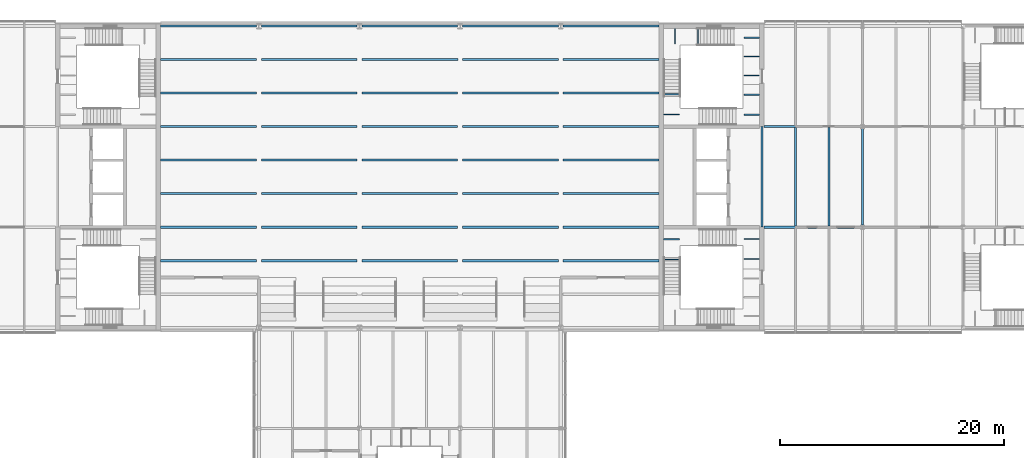
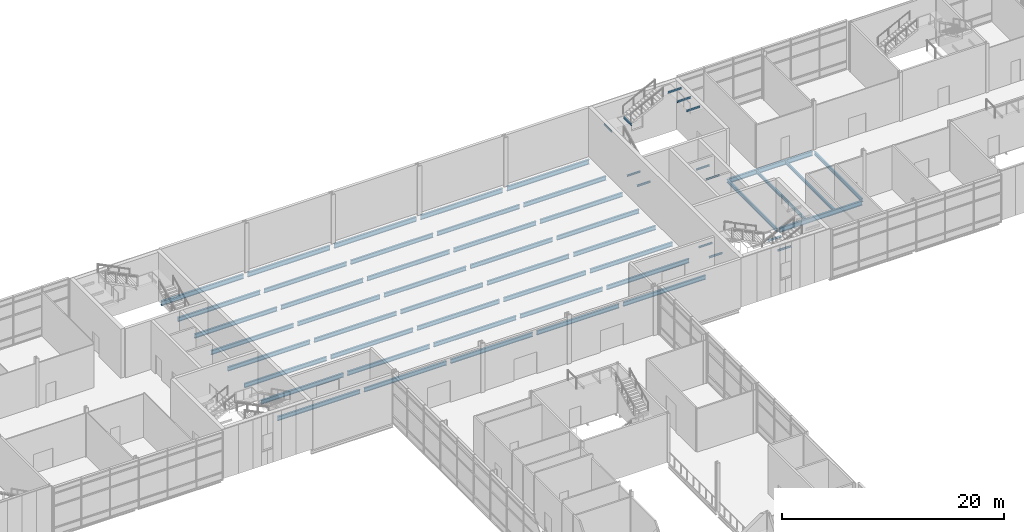
# One storey, part 20 of 52: 59 beams.
"""IFC4 building model written with IfcOpenShell, lengths in metres."""

import ifcopenshell
import ifcopenshell.guid

model = None  # the IFC model being written
_history = None  # IfcOwnerHistory: only IFC2X3 demands one
_inside = {}  # id of a spatial element -> (the spatial element, [elements in it])
_under = {}  # id of a project, library or spatial element -> (it, [spatial elements below it])
_declared = {}  # id of a project -> (the project, [libraries it declares])
_typed = {}  # id of a type object -> (the type object, [elements of that type])
_made_of = {}  # id of a material, layer set ... -> (it, [elements and type objects made of it])


def new_model(schema):
    """Start an empty IFC model of exactly this schema.

    Asked for "IFC4X3", IfcOpenShell would pick the latest addendum, in which some entities
    have other attributes; the version numbers below select the first issue.
    IFC2X3 requires an IfcOwnerHistory on every rooted entity: one is made here for all.
    """
    global model, _history
    if schema == "IFC4X3":
        model = ifcopenshell.file(schema_version=(4, 3, 0, 0))
    else:
        model = ifcopenshell.file(schema=schema)
    _inside.clear()
    _under.clear()
    _declared.clear()
    _typed.clear()
    _made_of.clear()
    _history = None
    if model.schema == "IFC2X3":
        org = make("IfcOrganization", Name="unknown")
        user = make(
            "IfcPersonAndOrganization",
            ThePerson=make("IfcPerson", FamilyName="unknown"),
            TheOrganization=org,
        )
        app = make(
            "IfcApplication",
            ApplicationDeveloper=org,
            Version="unknown",
            ApplicationFullName="unknown",
            ApplicationIdentifier="unknown",
        )
        _history = make(
            "IfcOwnerHistory",
            OwningUser=user,
            OwningApplication=app,
            ChangeAction="ADDED",
            CreationDate=0,
        )
    return model


def make(cls, **values):
    """One entity of the class cls with the attributes given. An attribute that is None is left unset."""
    return model.create_entity(
        cls, **{name: value for name, value in values.items() if value is not None}
    )


def rooted(cls, **values):
    """An entity with a GlobalId (a new one), such as an element, a storey or a relation."""
    return make(cls, GlobalId=ifcopenshell.guid.new(), OwnerHistory=_history, **values)


def si_unit(unit_type, name, prefix=None):
    """IfcSIUnit, for example si_unit("LENGTHUNIT", "METRE", prefix="MILLI")."""
    return make("IfcSIUnit", UnitType=unit_type, Prefix=prefix, Name=name)


def assignment(units):
    """IfcUnitAssignment: the units of a project."""
    return None if units is None else make("IfcUnitAssignment", Units=units)


def point(xyz):
    """IfcCartesianPoint."""
    return None if xyz is None else make("IfcCartesianPoint", Coordinates=xyz)


def direction(xyz):
    """IfcDirection."""
    return None if xyz is None else make("IfcDirection", DirectionRatios=xyz)


def frame(location, z_axis=None, x_axis=None):
    """IfcAxis2Placement3D, a coordinate frame: its origin and axes. An axis left out is left unset."""
    return make(
        "IfcAxis2Placement3D",
        Location=point(location),
        Axis=direction(z_axis),
        RefDirection=direction(x_axis),
    )


def frame_2d(location, x_axis=None):
    """IfcAxis2Placement2D, a coordinate frame in the plane: its origin and x axis."""
    return make(
        "IfcAxis2Placement2D", Location=point(location), RefDirection=direction(x_axis)
    )


def origin():
    """The frame at (0, 0, 0) with its axes left unset."""
    return frame((0.0, 0.0, 0.0))


def origin_2d():
    """The frame at (0, 0) in the plane with its x axis left unset."""
    return frame_2d((0.0, 0.0))


def place(relative_to, where):
    """IfcLocalPlacement: puts the frame where relative to a parent placement (None: the world)."""
    return make(
        "IfcLocalPlacement", PlacementRelTo=relative_to, RelativePlacement=where
    )


def context(
    kind, dimensions, precision=None, world=None, true_north=None, identifier=None
):
    """IfcGeometricRepresentationContext, for example the 3D "Model" context."""
    return make(
        "IfcGeometricRepresentationContext",
        ContextIdentifier=identifier,
        ContextType=kind,
        CoordinateSpaceDimension=dimensions,
        Precision=precision,
        WorldCoordinateSystem=world,
        TrueNorth=true_north,
    )


def subcontext(parent, identifier, kind, view, scale=None):
    """IfcGeometricRepresentationSubContext, for example "Body" below "Model"."""
    return make(
        "IfcGeometricRepresentationSubContext",
        ContextIdentifier=identifier,
        ContextType=kind,
        ParentContext=parent,
        TargetScale=scale,
        TargetView=view,
    )


def project(units=None, contexts=None):
    """IfcProject with its units and contexts."""
    return rooted(
        "IfcProject",
        Name="project",
        RepresentationContexts=contexts,
        UnitsInContext=assignment(units),
    )


def spatial(cls, under=None, at=None, **own):
    """A site, building, storey or space (cls), placed at a placement, below another one or the project."""
    s = rooted(cls, ObjectPlacement=at, **own)
    if under is not None:
        _under.setdefault(under.id(), (under, []))[1].append(s)
    return s


def profile(cls, at=None, kind="AREA", **sizes):
    """A parametric profile (cls). Its sizes go by their IFC names, for example OverallWidth=200.0."""
    return make(cls, ProfileType=kind, Position=at, **sizes)


def i_section(**sizes):
    """IfcIShapeProfileDef."""
    return profile("IfcIShapeProfileDef", **sizes)


def extrude(swept, where, along, depth):
    """IfcExtrudedAreaSolid: the profile swept, set in the frame where, extruded along a direction by depth."""
    return make(
        "IfcExtrudedAreaSolid",
        SweptArea=swept,
        Position=where,
        ExtrudedDirection=direction(along),
        Depth=depth,
    )


def shape(context_of_items, identifier, shape_type, items):
    """IfcShapeRepresentation: the items that make up one representation, for example the "Body"."""
    return make(
        "IfcShapeRepresentation",
        ContextOfItems=context_of_items,
        RepresentationIdentifier=identifier,
        RepresentationType=shape_type,
        Items=items,
    )


def material(Name=None, Category=None):
    """IfcMaterial."""
    return make("IfcMaterial", Name=Name, Category=Category)


def material_profile(
    of_material, cross_section, Name=None, Category=None, Priority=None
):
    """IfcMaterialProfile: a cross section and its material."""
    return make(
        "IfcMaterialProfile",
        Name=Name,
        Material=of_material,
        Profile=cross_section,
        Priority=Priority,
        Category=Category,
    )


def profile_set(profiles, Name=None, composite=None):
    """IfcMaterialProfileSet."""
    return make(
        "IfcMaterialProfileSet",
        Name=Name,
        MaterialProfiles=profiles,
        CompositeProfile=composite,
    )


def made_of(thing, what):
    """Note that an element or type object is made of a material, layer set ...; save() writes the relation."""
    if what is not None:
        _made_of.setdefault(what.id(), (what, []))[1].append(thing)
    return thing


def type_object(cls, material=None, **own):
    """A type object (cls), such as IfcWallType, which elements share."""
    return made_of(rooted(cls, **own), material)


def element(
    cls,
    number,
    at=None,
    inside=None,
    cuts=None,
    type_object=None,
    material=None,
    context=None,
    identifier="Body",
    shape_type=None,
    held_by="IfcProductDefinitionShape",
    body=None,
    shapes=None,
    **own,
):
    """One element of the class cls, such as IfcWall. Its Tag is "e" and its number.

    at: its placement. inside: the storey or other place that contains it. cuts: it is an
    opening in that element (IfcRelVoidsElement). A single representation is given by context,
    identifier, shape_type and body (its items); several are given by shapes. held_by: the class
    of the entity that holds the representations. save() writes the other relations.
    """
    e = rooted(cls, Tag="e%d" % number, ObjectPlacement=at, **own)
    if body is not None:
        shapes = [shape(context, identifier, shape_type, body)]
    if shapes is not None:
        e.Representation = make(held_by, Representations=shapes)
    if inside is not None:
        _inside.setdefault(inside.id(), (inside, []))[1].append(e)
    if cuts is not None:
        rooted(
            "IfcRelVoidsElement", RelatingBuildingElement=cuts, RelatedOpeningElement=e
        )
    if type_object is not None:
        _typed.setdefault(type_object.id(), (type_object, []))[1].append(e)
    return made_of(e, material)


def aggregate(whole, parts):
    """IfcRelAggregates: a whole, such as a stair, and the parts it consists of."""
    return rooted("IfcRelAggregates", RelatingObject=whole, RelatedObjects=parts)


def save(model, path):
    """Write the relations noted so far, then the file.

    IfcRelAggregates (storeys below a building ...), IfcRelContainedInSpatialStructure (elements
    in a storey), IfcRelDefinesByType, IfcRelAssociatesMaterial and IfcRelDeclares: one each for
    every whole, place, type object, material and project.
    """
    for whole, parts in _under.values():
        aggregate(whole, parts)
    for where, things in _inside.values():
        rooted(
            "IfcRelContainedInSpatialStructure",
            RelatedElements=things,
            RelatingStructure=where,
        )
    for kind, things in _typed.values():
        rooted("IfcRelDefinesByType", RelatedObjects=things, RelatingType=kind)
    for what, things in _made_of.values():
        rooted("IfcRelAssociatesMaterial", RelatedObjects=things, RelatingMaterial=what)
    for by, libraries in _declared.values():
        rooted("IfcRelDeclares", RelatingContext=by, RelatedDefinitions=libraries)
    model.write(path)


model = new_model("IFC4")

# Units and contexts
model_context = context("Model", 3, precision=1e-05, world=origin(), true_north=direction((0.0, 1.0)))
body_context = subcontext(model_context, "Body", "Model", "MODEL_VIEW")
ifc_project = project(units=[si_unit("LENGTHUNIT", "METRE"), si_unit("AREAUNIT", "SQUARE_METRE"), si_unit("VOLUMEUNIT", "CUBIC_METRE"), si_unit("PLANEANGLEUNIT", "RADIAN"), si_unit("MASSUNIT", "GRAM", prefix="KILO")], contexts=[model_context])

# Site, building, storey
site_placement = place(None, origin())
site = spatial("IfcSite", under=ifc_project, at=site_placement, CompositionType="ELEMENT")
building_placement = place(site_placement, origin())
building = spatial("IfcBuilding", under=site, at=building_placement, Name="Azimuth Sports and Learning Centre", CompositionType="ELEMENT")
storey_placement = place(building_placement, frame((0.0, 0.0, 16.199951171875)))
storey = spatial("IfcBuildingStorey", under=building, at=storey_placement, Name="L03", CompositionType="ELEMENT", Elevation=16.199951171875)

# Beams
ifc_material_1 = material(Name="Steel S355", Category="steel")
ifc_material_profile_1 = material_profile(ifc_material_1, i_section(OverallWidth=0.10009765625, OverallDepth=0.199951171875, WebThickness=0.005615234375, FlangeThickness=0.008544921875, FilletRadius=0.011962890625, at=origin_2d()), Name="IPE 200")
ifc_profile_set_1 = profile_set([ifc_material_profile_1], Name="Steel S355")
beam_type_1 = type_object("IfcBeamType", Name="Beam IPE 200", PredefinedType="BEAM", material=ifc_profile_set_1)
for number, where, z_axis, x_axis, name in (
    (1, (116.800048828125, 96.1474609375, -0.300048828125), (-1.0, 0.0, 0.0), (0.0, -1.0, 0.0), "Landing bracket E1 L03 382"),
    (2, (116.800048828125, 97.9423828125, -0.300048828125), (-1.0, 0.0, 0.0), (0.0, -1.0, 0.0), "Landing bracket E1 L03 383"),
    (3, (108.199951171875, 96.1025390625, 1.5), (1.0, 0.0, 0.0), (0.0, 1.0, 0.0), "Landing bracket E1 L03 384"),
    (4, (108.199951171875, 97.927490234375, 1.5), (1.0, 0.0, 0.0), (0.0, 1.0, 0.0), "Landing bracket E1 L03 385"),
    (5, (116.800048828125, 109.0576171875, -0.300048828125), (-1.0, 0.0, 0.0), (0.0, -1.0, 0.0), "Landing bracket E2 L03 560"),
    (6, (116.800048828125, 110.8525390625, -0.300048828125), (-1.0, 0.0, 0.0), (0.0, -1.0, 0.0), "Landing bracket E2 L03 561"),
    (7, (108.199951171875, 109.072509765625, 1.5), (1.0, 0.0, 0.0), (0.0, 1.0, 0.0), "Landing bracket E2 L03 562"),
    (8, (108.199951171875, 110.8974609375, 1.5), (1.0, 0.0, 0.0), (0.0, 1.0, 0.0), "Landing bracket E2 L03 563"),
    (9, (109.235107421875, 116.800048828125, 3.300048828125), (0.0, -1.0, 0.0), (1.0, 0.0, 0.0), "Landing bracket E2 L03 564"),
    (10, (111.284912109375, 116.800048828125, 3.300048828125), (0.0, -1.0, 0.0), (1.0, 0.0, 0.0), "Landing bracket E2 L03 565"),
    (11, (116.800048828125, 112.590087890625, 5.10009765625), (-1.0, 0.0, 0.0), (0.0, -1.0, 0.0), "Landing bracket E2 L03 566"),
    (12, (116.800048828125, 114.27001953125, 5.10009765625), (-1.0, 0.0, 0.0), (0.0, -1.0, 0.0), "Landing bracket E2 L03 567"),
    (13, (116.800048828125, 115.949951171875, 5.10009765625), (-1.0, 0.0, 0.0), (0.0, -1.0, 0.0), "Landing bracket E2 L03 568"),
):
    element("IfcBeam", number, at=place(storey_placement, frame(where, z_axis=z_axis, x_axis=x_axis)), inside=storey, type_object=beam_type_1, Name=name, PredefinedType="BEAM", context=body_context, shape_type="SweptSolid", body=[
        extrude(i_section(OverallWidth=0.10009765625, OverallDepth=0.199951171875, WebThickness=0.005615234375, FlangeThickness=0.008544921875, FilletRadius=0.011962890625, at=origin_2d()), origin(), (0.0, 0.0, 1.0), 1.41015625),
    ])
ifc_material_2 = material(Name="Steel S355", Category="steel")
ifc_material_profile_2 = material_profile(ifc_material_2, i_section(OverallWidth=0.169921875, OverallDepth=0.360107421875, WebThickness=0.008056640625, FlangeThickness=0.0126953125, FilletRadius=0.01806640625, at=origin_2d()), Name="IPE 360")
ifc_profile_set_2 = profile_set([ifc_material_profile_2], Name="Steel S355")
beam_type_2 = type_object("IfcBeamType", Name="Beam IPE 360", PredefinedType="BEAM", material=ifc_profile_set_2)
beam_1_placement = place(storey_placement, frame((117.0, 99.0, -0.329833984375), z_axis=(0.0, 1.0, 0.0), x_axis=(-1.0, 0.0, 0.0)))
element("IfcBeam", 14, at=beam_1_placement, inside=storey, type_object=beam_type_2, Name="Beam L03 WE 17", PredefinedType="BEAM", context=body_context, shape_type="SweptSolid", body=[
    extrude(i_section(OverallWidth=0.169921875, OverallDepth=0.360107421875, WebThickness=0.008056640625, FlangeThickness=0.0126953125, FilletRadius=0.01806640625, at=origin_2d()), origin(), (0.0, 0.0, 1.0), 9.0),
])
beam_2_placement = place(storey_placement, frame((126.0, 99.179931640625, -0.329833984375), z_axis=(0.0, 1.0, 0.0), x_axis=(-1.0, 0.0, 0.0)))
element("IfcBeam", 15, at=beam_2_placement, inside=storey, type_object=beam_type_2, Name="Beam L03 WE 19", PredefinedType="BEAM", context=body_context, shape_type="SweptSolid", body=[
    extrude(i_section(OverallWidth=0.169921875, OverallDepth=0.360107421875, WebThickness=0.008056640625, FlangeThickness=0.0126953125, FilletRadius=0.01806640625, at=origin_2d()), origin(), (0.0, 0.0, 1.0), 8.64013671875),
])
ifc_material_3 = material(Name="Steel S355", Category="steel")
ifc_material_profile_3 = material_profile(ifc_material_3, i_section(OverallWidth=0.199951171875, OverallDepth=0.5, WebThickness=0.01025390625, FlangeThickness=0.01611328125, FilletRadius=0.02099609375, at=origin_2d()), Name="IPE 500")
ifc_profile_set_3 = profile_set([ifc_material_profile_3], Name="Steel S355")
beam_type_3 = type_object("IfcBeamType", Name="Beam IPE 500", PredefinedType="BEAM", material=ifc_profile_set_3)
for number, where, z_axis, x_axis, name in (
    (16, (117.199951171875, 99.0, -0.39990234375), (1.0, 0.0, 0.0), (0.0, 1.0, 0.0), "Beam L03 WE 5"),
    (17, (117.199951171875, 108.0, -0.39990234375), (1.0, 0.0, 0.0), (0.0, 1.0, 0.0), "Beam L03 WE 9"),
):
    element("IfcBeam", number, at=place(storey_placement, frame(where, z_axis=z_axis, x_axis=x_axis)), inside=storey, type_object=beam_type_3, Name=name, PredefinedType="BEAM", context=body_context, shape_type="SweptSolid", body=[
        extrude(i_section(OverallWidth=0.199951171875, OverallDepth=0.5, WebThickness=0.01025390625, FlangeThickness=0.01611328125, FilletRadius=0.02099609375, at=origin_2d()), origin(), (0.0, 0.0, 1.0), 8.650146484375),
    ])
beam_3_placement = place(storey_placement, frame((63.199951171875, 117.0, -0.469970703125), z_axis=(1.0, 0.0, 0.0), x_axis=(0.0, 1.0, 0.0)))
element("IfcBeam", 18, at=beam_3_placement, inside=storey, type_object=beam_type_3, Name="Hall B floor edge girder 10", PredefinedType="BEAM", context=body_context, shape_type="SweptSolid", body=[
    extrude(i_section(OverallWidth=0.199951171875, OverallDepth=0.5, WebThickness=0.01025390625, FlangeThickness=0.01611328125, FilletRadius=0.02099609375, at=origin_2d()), origin(), (0.0, 0.0, 1.0), 8.58154296875),
])
for number, where, z_axis, x_axis, name in (
    (19, (72.218505859375, 117.0, -0.469970703125), (1.0, 0.0, 0.0), (0.0, 1.0, 0.0), "Hall B floor edge girder 19"),
    (20, (81.218505859375, 117.0, -0.469970703125), (1.0, 0.0, 0.0), (0.0, 1.0, 0.0), "Hall B floor edge girder 28"),
    (21, (90.218505859375, 117.0, -0.469970703125), (1.0, 0.0, 0.0), (0.0, 1.0, 0.0), "Hall B floor edge girder 37"),
):
    element("IfcBeam", number, at=place(storey_placement, frame(where, z_axis=z_axis, x_axis=x_axis)), inside=storey, type_object=beam_type_3, Name=name, PredefinedType="BEAM", context=body_context, shape_type="SweptSolid", body=[
        extrude(i_section(OverallWidth=0.199951171875, OverallDepth=0.5, WebThickness=0.01025390625, FlangeThickness=0.01611328125, FilletRadius=0.02099609375, at=origin_2d()), origin(), (0.0, 0.0, 1.0), 8.56298828125),
    ])
beam_4_placement = place(storey_placement, frame((99.218505859375, 117.0, -0.469970703125), z_axis=(1.0, 0.0, 0.0), x_axis=(0.0, 1.0, 0.0)))
element("IfcBeam", 22, at=beam_4_placement, inside=storey, type_object=beam_type_3, Name="Hall B floor edge girder 47", PredefinedType="BEAM", context=body_context, shape_type="SweptSolid", body=[
    extrude(i_section(OverallWidth=0.199951171875, OverallDepth=0.5, WebThickness=0.01025390625, FlangeThickness=0.01611328125, FilletRadius=0.02099609375, at=origin_2d()), origin(), (0.0, 0.0, 1.0), 8.58154296875),
])
ifc_material_4 = material(Name="Steel S355", Category="steel")
ifc_material_profile_4 = material_profile(ifc_material_4, i_section(OverallWidth=0.159912109375, OverallDepth=0.330078125, WebThickness=0.007568359375, FlangeThickness=0.011474609375, FilletRadius=0.01806640625, at=origin_2d()), Name="IPE 330")
ifc_profile_set_4 = profile_set([ifc_material_profile_4], Name="Steel S355")
beam_type_4 = type_object("IfcBeamType", Name="Joist IPE 330", PredefinedType="JOIST", material=ifc_profile_set_4)
for number, where, z_axis, x_axis, name in (
    (23, (120.0, 99.10009765625, -0.31494140625), (0.0, 1.0, 0.0), (-1.0, 0.0, 0.0), "Joist L03 WE 28"),
    (24, (123.0, 99.10009765625, -0.31494140625), (0.0, 1.0, 0.0), (-1.0, 0.0, 0.0), "Joist L03 WE 31"),
):
    element("IfcBeam", number, at=place(storey_placement, frame(where, z_axis=z_axis, x_axis=x_axis)), inside=storey, type_object=beam_type_4, Name=name, PredefinedType="JOIST", context=body_context, shape_type="SweptSolid", body=[
        extrude(i_section(OverallWidth=0.159912109375, OverallDepth=0.330078125, WebThickness=0.007568359375, FlangeThickness=0.011474609375, FilletRadius=0.01806640625, at=origin_2d()), origin(), (0.0, 0.0, 1.0), 8.7998046875),
    ])
ifc_material_5 = material(Name="Steel S355", Category="steel")
ifc_material_profile_5 = material_profile(ifc_material_5, i_section(OverallWidth=0.18994140625, OverallDepth=0.449951171875, WebThickness=0.009521484375, FlangeThickness=0.0146484375, FilletRadius=0.02099609375, at=origin_2d()), Name="IPE 450")
ifc_profile_set_5 = profile_set([ifc_material_profile_5], Name="Steel S355")
beam_type_5 = type_object("IfcBeamType", Name="Joist IPE 450", PredefinedType="JOIST", material=ifc_profile_set_5)
beam_5_placement = place(storey_placement, frame((63.199951171875, 96.0, -0.445068359375), z_axis=(1.0, 0.0, 0.0), x_axis=(0.0, 1.0, 0.0)))
element("IfcBeam", 25, at=beam_5_placement, inside=storey, type_object=beam_type_5, Name="Hall B floor joist 2", PredefinedType="JOIST", context=body_context, shape_type="SweptSolid", body=[
    extrude(i_section(OverallWidth=0.18994140625, OverallDepth=0.449951171875, WebThickness=0.009521484375, FlangeThickness=0.0146484375, FilletRadius=0.02099609375, at=origin_2d()), origin(), (0.0, 0.0, 1.0), 8.588134765625),
])
for number, where, z_axis, x_axis, name in (
    (26, (63.199951171875, 99.0, -0.445068359375), (1.0, 0.0, 0.0), (0.0, 1.0, 0.0), "Hall B floor joist 3"),
    (27, (63.199951171875, 102.0, -0.445068359375), (1.0, 0.0, 0.0), (0.0, 1.0, 0.0), "Hall B floor joist 4"),
    (28, (63.199951171875, 105.0, -0.445068359375), (1.0, 0.0, 0.0), (0.0, 1.0, 0.0), "Hall B floor joist 5"),
    (29, (63.199951171875, 108.0, -0.445068359375), (1.0, 0.0, 0.0), (0.0, 1.0, 0.0), "Hall B floor joist 6"),
):
    element("IfcBeam", number, at=place(storey_placement, frame(where, z_axis=z_axis, x_axis=x_axis)), inside=storey, type_object=beam_type_5, Name=name, PredefinedType="JOIST", context=body_context, shape_type="SweptSolid", body=[
        extrude(i_section(OverallWidth=0.18994140625, OverallDepth=0.449951171875, WebThickness=0.009521484375, FlangeThickness=0.0146484375, FilletRadius=0.02099609375, at=origin_2d()), origin(), (0.0, 0.0, 1.0), 8.5859375),
    ])
beam_6_placement = place(storey_placement, frame((63.199951171875, 111.0, -0.445068359375), z_axis=(1.0, 0.0, 0.0), x_axis=(0.0, 1.0, 0.0)))
element("IfcBeam", 30, at=beam_6_placement, inside=storey, type_object=beam_type_5, Name="Hall B floor joist 7", PredefinedType="JOIST", context=body_context, shape_type="SweptSolid", body=[
    extrude(i_section(OverallWidth=0.18994140625, OverallDepth=0.449951171875, WebThickness=0.009521484375, FlangeThickness=0.0146484375, FilletRadius=0.02099609375, at=origin_2d()), origin(), (0.0, 0.0, 1.0), 8.588134765625),
])
beam_7_placement = place(storey_placement, frame((63.199951171875, 114.0, -0.445068359375), z_axis=(1.0, 0.0, 0.0), x_axis=(0.0, 1.0, 0.0)))
element("IfcBeam", 31, at=beam_7_placement, inside=storey, type_object=beam_type_5, Name="Hall B floor joist 8", PredefinedType="JOIST", context=body_context, shape_type="SweptSolid", body=[
    extrude(i_section(OverallWidth=0.18994140625, OverallDepth=0.449951171875, WebThickness=0.009521484375, FlangeThickness=0.0146484375, FilletRadius=0.02099609375, at=origin_2d()), origin(), (0.0, 0.0, 1.0), 8.591064453125),
])
beam_8_placement = place(storey_placement, frame((72.2119140625, 96.0, -0.445068359375), z_axis=(1.0, 0.0, 0.0), x_axis=(0.0, 1.0, 0.0)))
element("IfcBeam", 32, at=beam_8_placement, inside=storey, type_object=beam_type_5, Name="Hall B floor joist 12", PredefinedType="JOIST", context=body_context, shape_type="SweptSolid", body=[
    extrude(i_section(OverallWidth=0.18994140625, OverallDepth=0.449951171875, WebThickness=0.009521484375, FlangeThickness=0.0146484375, FilletRadius=0.02099609375, at=origin_2d()), origin(), (0.0, 0.0, 1.0), 8.576171875),
])
for number, where, z_axis, x_axis, name in (
    (33, (72.214111328125, 99.0, -0.445068359375), (1.0, 0.0, 0.0), (0.0, 1.0, 0.0), "Hall B floor joist 13"),
    (34, (72.214111328125, 102.0, -0.445068359375), (1.0, 0.0, 0.0), (0.0, 1.0, 0.0), "Hall B floor joist 14"),
    (35, (72.214111328125, 105.0, -0.445068359375), (1.0, 0.0, 0.0), (0.0, 1.0, 0.0), "Hall B floor joist 15"),
    (36, (72.214111328125, 108.0, -0.445068359375), (1.0, 0.0, 0.0), (0.0, 1.0, 0.0), "Hall B floor joist 16"),
):
    element("IfcBeam", number, at=place(storey_placement, frame(where, z_axis=z_axis, x_axis=x_axis)), inside=storey, type_object=beam_type_5, Name=name, PredefinedType="JOIST", context=body_context, shape_type="SweptSolid", body=[
        extrude(i_section(OverallWidth=0.18994140625, OverallDepth=0.449951171875, WebThickness=0.009521484375, FlangeThickness=0.0146484375, FilletRadius=0.02099609375, at=origin_2d()), origin(), (0.0, 0.0, 1.0), 8.57177734375),
    ])
beam_9_placement = place(storey_placement, frame((72.2119140625, 111.0, -0.445068359375), z_axis=(1.0, 0.0, 0.0), x_axis=(0.0, 1.0, 0.0)))
element("IfcBeam", 37, at=beam_9_placement, inside=storey, type_object=beam_type_5, Name="Hall B floor joist 17", PredefinedType="JOIST", context=body_context, shape_type="SweptSolid", body=[
    extrude(i_section(OverallWidth=0.18994140625, OverallDepth=0.449951171875, WebThickness=0.009521484375, FlangeThickness=0.0146484375, FilletRadius=0.02099609375, at=origin_2d()), origin(), (0.0, 0.0, 1.0), 8.576171875),
])
beam_10_placement = place(storey_placement, frame((72.208984375, 114.0, -0.445068359375), z_axis=(1.0, 0.0, 0.0), x_axis=(0.0, 1.0, 0.0)))
element("IfcBeam", 38, at=beam_10_placement, inside=storey, type_object=beam_type_5, Name="Hall B floor joist 18", PredefinedType="JOIST", context=body_context, shape_type="SweptSolid", body=[
    extrude(i_section(OverallWidth=0.18994140625, OverallDepth=0.449951171875, WebThickness=0.009521484375, FlangeThickness=0.0146484375, FilletRadius=0.02099609375, at=origin_2d()), origin(), (0.0, 0.0, 1.0), 8.58203125),
])
beam_11_placement = place(storey_placement, frame((81.2119140625, 96.0, -0.445068359375), z_axis=(1.0, 0.0, 0.0), x_axis=(0.0, 1.0, 0.0)))
element("IfcBeam", 39, at=beam_11_placement, inside=storey, type_object=beam_type_5, Name="Hall B floor joist 21", PredefinedType="JOIST", context=body_context, shape_type="SweptSolid", body=[
    extrude(i_section(OverallWidth=0.18994140625, OverallDepth=0.449951171875, WebThickness=0.009521484375, FlangeThickness=0.0146484375, FilletRadius=0.02099609375, at=origin_2d()), origin(), (0.0, 0.0, 1.0), 8.576171875),
])
for number, where, z_axis, x_axis, name in (
    (40, (81.214111328125, 99.0, -0.445068359375), (1.0, 0.0, 0.0), (0.0, 1.0, 0.0), "Hall B floor joist 22"),
    (41, (81.214111328125, 102.0, -0.445068359375), (1.0, 0.0, 0.0), (0.0, 1.0, 0.0), "Hall B floor joist 23"),
    (42, (81.214111328125, 105.0, -0.445068359375), (1.0, 0.0, 0.0), (0.0, 1.0, 0.0), "Hall B floor joist 24"),
    (43, (81.214111328125, 108.0, -0.445068359375), (1.0, 0.0, 0.0), (0.0, 1.0, 0.0), "Hall B floor joist 25"),
):
    element("IfcBeam", number, at=place(storey_placement, frame(where, z_axis=z_axis, x_axis=x_axis)), inside=storey, type_object=beam_type_5, Name=name, PredefinedType="JOIST", context=body_context, shape_type="SweptSolid", body=[
        extrude(i_section(OverallWidth=0.18994140625, OverallDepth=0.449951171875, WebThickness=0.009521484375, FlangeThickness=0.0146484375, FilletRadius=0.02099609375, at=origin_2d()), origin(), (0.0, 0.0, 1.0), 8.57177734375),
    ])
beam_12_placement = place(storey_placement, frame((81.2119140625, 111.0, -0.445068359375), z_axis=(1.0, 0.0, 0.0), x_axis=(0.0, 1.0, 0.0)))
element("IfcBeam", 44, at=beam_12_placement, inside=storey, type_object=beam_type_5, Name="Hall B floor joist 26", PredefinedType="JOIST", context=body_context, shape_type="SweptSolid", body=[
    extrude(i_section(OverallWidth=0.18994140625, OverallDepth=0.449951171875, WebThickness=0.009521484375, FlangeThickness=0.0146484375, FilletRadius=0.02099609375, at=origin_2d()), origin(), (0.0, 0.0, 1.0), 8.576171875),
])
beam_13_placement = place(storey_placement, frame((81.208984375, 114.0, -0.445068359375), z_axis=(1.0, 0.0, 0.0), x_axis=(0.0, 1.0, 0.0)))
element("IfcBeam", 45, at=beam_13_placement, inside=storey, type_object=beam_type_5, Name="Hall B floor joist 27", PredefinedType="JOIST", context=body_context, shape_type="SweptSolid", body=[
    extrude(i_section(OverallWidth=0.18994140625, OverallDepth=0.449951171875, WebThickness=0.009521484375, FlangeThickness=0.0146484375, FilletRadius=0.02099609375, at=origin_2d()), origin(), (0.0, 0.0, 1.0), 8.58203125),
])
beam_14_placement = place(storey_placement, frame((90.2119140625, 96.0, -0.445068359375), z_axis=(1.0, 0.0, 0.0), x_axis=(0.0, 1.0, 0.0)))
element("IfcBeam", 46, at=beam_14_placement, inside=storey, type_object=beam_type_5, Name="Hall B floor joist 30", PredefinedType="JOIST", context=body_context, shape_type="SweptSolid", body=[
    extrude(i_section(OverallWidth=0.18994140625, OverallDepth=0.449951171875, WebThickness=0.009521484375, FlangeThickness=0.0146484375, FilletRadius=0.02099609375, at=origin_2d()), origin(), (0.0, 0.0, 1.0), 8.576171875),
])
for number, where, z_axis, x_axis, name in (
    (47, (90.214111328125, 99.0, -0.445068359375), (1.0, 0.0, 0.0), (0.0, 1.0, 0.0), "Hall B floor joist 31"),
    (48, (90.214111328125, 102.0, -0.445068359375), (1.0, 0.0, 0.0), (0.0, 1.0, 0.0), "Hall B floor joist 32"),
    (49, (90.214111328125, 105.0, -0.445068359375), (1.0, 0.0, 0.0), (0.0, 1.0, 0.0), "Hall B floor joist 33"),
    (50, (90.214111328125, 108.0, -0.445068359375), (1.0, 0.0, 0.0), (0.0, 1.0, 0.0), "Hall B floor joist 34"),
):
    element("IfcBeam", number, at=place(storey_placement, frame(where, z_axis=z_axis, x_axis=x_axis)), inside=storey, type_object=beam_type_5, Name=name, PredefinedType="JOIST", context=body_context, shape_type="SweptSolid", body=[
        extrude(i_section(OverallWidth=0.18994140625, OverallDepth=0.449951171875, WebThickness=0.009521484375, FlangeThickness=0.0146484375, FilletRadius=0.02099609375, at=origin_2d()), origin(), (0.0, 0.0, 1.0), 8.57177734375),
    ])
beam_15_placement = place(storey_placement, frame((90.2119140625, 111.0, -0.445068359375), z_axis=(1.0, 0.0, 0.0), x_axis=(0.0, 1.0, 0.0)))
element("IfcBeam", 51, at=beam_15_placement, inside=storey, type_object=beam_type_5, Name="Hall B floor joist 35", PredefinedType="JOIST", context=body_context, shape_type="SweptSolid", body=[
    extrude(i_section(OverallWidth=0.18994140625, OverallDepth=0.449951171875, WebThickness=0.009521484375, FlangeThickness=0.0146484375, FilletRadius=0.02099609375, at=origin_2d()), origin(), (0.0, 0.0, 1.0), 8.576171875),
])
beam_16_placement = place(storey_placement, frame((90.208984375, 114.0, -0.445068359375), z_axis=(1.0, 0.0, 0.0), x_axis=(0.0, 1.0, 0.0)))
element("IfcBeam", 52, at=beam_16_placement, inside=storey, type_object=beam_type_5, Name="Hall B floor joist 36", PredefinedType="JOIST", context=body_context, shape_type="SweptSolid", body=[
    extrude(i_section(OverallWidth=0.18994140625, OverallDepth=0.449951171875, WebThickness=0.009521484375, FlangeThickness=0.0146484375, FilletRadius=0.02099609375, at=origin_2d()), origin(), (0.0, 0.0, 1.0), 8.58203125),
])
beam_17_placement = place(storey_placement, frame((99.2119140625, 96.0, -0.445068359375), z_axis=(1.0, 0.0, 0.0), x_axis=(0.0, 1.0, 0.0)))
element("IfcBeam", 53, at=beam_17_placement, inside=storey, type_object=beam_type_5, Name="Hall B floor joist 39", PredefinedType="JOIST", context=body_context, shape_type="SweptSolid", body=[
    extrude(i_section(OverallWidth=0.18994140625, OverallDepth=0.449951171875, WebThickness=0.009521484375, FlangeThickness=0.0146484375, FilletRadius=0.02099609375, at=origin_2d()), origin(), (0.0, 0.0, 1.0), 8.588134765625),
])
for number, where, z_axis, x_axis, name in (
    (54, (99.214111328125, 99.0, -0.445068359375), (1.0, 0.0, 0.0), (0.0, 1.0, 0.0), "Hall B floor joist 40"),
    (55, (99.214111328125, 102.0, -0.445068359375), (1.0, 0.0, 0.0), (0.0, 1.0, 0.0), "Hall B floor joist 41"),
    (56, (99.214111328125, 105.0, -0.445068359375), (1.0, 0.0, 0.0), (0.0, 1.0, 0.0), "Hall B floor joist 42"),
    (57, (99.214111328125, 108.0, -0.445068359375), (1.0, 0.0, 0.0), (0.0, 1.0, 0.0), "Hall B floor joist 43"),
):
    element("IfcBeam", number, at=place(storey_placement, frame(where, z_axis=z_axis, x_axis=x_axis)), inside=storey, type_object=beam_type_5, Name=name, PredefinedType="JOIST", context=body_context, shape_type="SweptSolid", body=[
        extrude(i_section(OverallWidth=0.18994140625, OverallDepth=0.449951171875, WebThickness=0.009521484375, FlangeThickness=0.0146484375, FilletRadius=0.02099609375, at=origin_2d()), origin(), (0.0, 0.0, 1.0), 8.5859375),
    ])
beam_18_placement = place(storey_placement, frame((99.2119140625, 111.0, -0.445068359375), z_axis=(1.0, 0.0, 0.0), x_axis=(0.0, 1.0, 0.0)))
element("IfcBeam", 58, at=beam_18_placement, inside=storey, type_object=beam_type_5, Name="Hall B floor joist 44", PredefinedType="JOIST", context=body_context, shape_type="SweptSolid", body=[
    extrude(i_section(OverallWidth=0.18994140625, OverallDepth=0.449951171875, WebThickness=0.009521484375, FlangeThickness=0.0146484375, FilletRadius=0.02099609375, at=origin_2d()), origin(), (0.0, 0.0, 1.0), 8.588134765625),
])
beam_19_placement = place(storey_placement, frame((99.208984375, 114.0, -0.445068359375), z_axis=(1.0, 0.0, 0.0), x_axis=(0.0, 1.0, 0.0)))
element("IfcBeam", 59, at=beam_19_placement, inside=storey, type_object=beam_type_5, Name="Hall B floor joist 45", PredefinedType="JOIST", context=body_context, shape_type="SweptSolid", body=[
    extrude(i_section(OverallWidth=0.18994140625, OverallDepth=0.449951171875, WebThickness=0.009521484375, FlangeThickness=0.0146484375, FilletRadius=0.02099609375, at=origin_2d()), origin(), (0.0, 0.0, 1.0), 8.591064453125),
])

save(model, "model.ifc")
